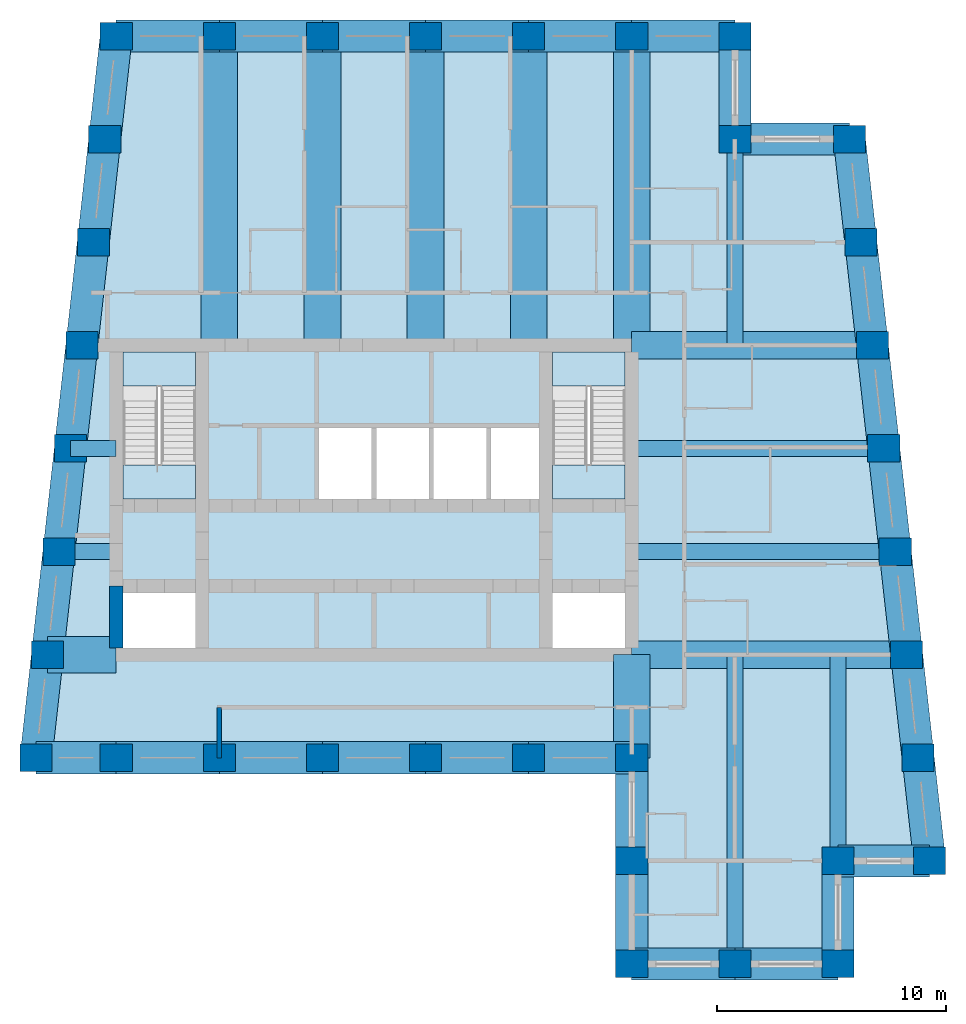
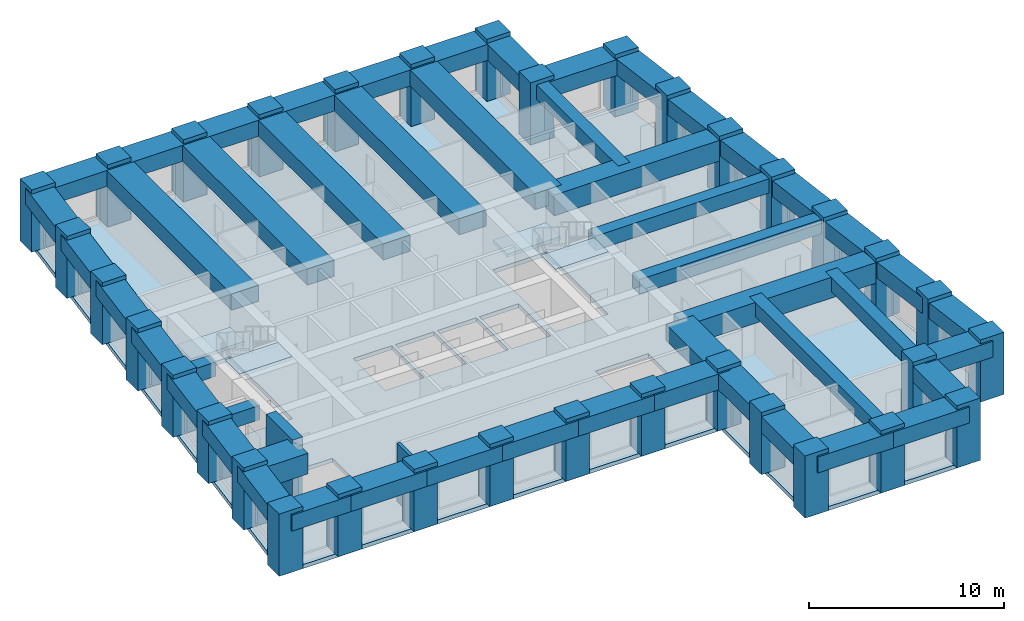
# One storey, part 1 of 7: 50 beams, 34 columns, 5 slabs, 2 walls, 2 elements without a shape of their own.
"""IFC4 building model written with IfcOpenShell, lengths in metres."""

from ifc_helpers import new_model, si_unit, direction, frame, frame_2d, origin, origin_2d, place, context, subcontext, project, spatial, polyline, rectangle, outline, extrude, material, layer, layer_set, material_profile, profile_set, type_object, element, aggregate, save


model = new_model("IFC4")

# Units and contexts
model_context = context("Model", 3, precision=1e-05, world=origin(), true_north=direction((0.0, 1.0)))
body_context = subcontext(model_context, "Body", "Model", "MODEL_VIEW")
ifc_project = project(units=[si_unit("LENGTHUNIT", "METRE"), si_unit("AREAUNIT", "SQUARE_METRE"), si_unit("VOLUMEUNIT", "CUBIC_METRE"), si_unit("PLANEANGLEUNIT", "RADIAN"), si_unit("MASSUNIT", "GRAM", prefix="KILO")], contexts=[model_context])

# Site, building, storey
site_placement = place(None, origin())
site = spatial("IfcSite", under=ifc_project, at=site_placement, CompositionType="ELEMENT")
building_placement = place(site_placement, origin())
building = spatial("IfcBuilding", under=site, at=building_placement, Name="Kilele Tower Hotel", CompositionType="ELEMENT")
storey_placement = place(building_placement, frame((0.0, 0.0, 262.39990234375)))
storey = spatial("IfcBuildingStorey", under=building, at=storey_placement, Name="L67", CompositionType="ELEMENT", Elevation=262.39990234375)

# Columns
ifc_material_1 = material(Name="Concrete C60/75", Category="concrete")
ifc_material_profile_1 = material_profile(ifc_material_1, rectangle(XDim=1.39990234375, YDim=1.199951171875, at=origin_2d()))
ifc_profile_set_1 = profile_set([ifc_material_profile_1], Name="Concrete C60/75")
column_type = type_object("IfcColumnType", Name="Tube column RC 1400x1200 C60/75", PredefinedType="COLUMN", material=ifc_profile_set_1)
for number, where, z_axis, x_axis, name in (
    (1, (10.0, 9.0, 0.0), (0.0, 0.0, 1.0), (1.0, 0.0, 0.0), "Column TC5 L67"),
    (2, (13.5, 9.0, 0.0), (0.0, 0.0, 1.0), (1.0, 0.0, 0.0), "Column TC5 L67"),
    (3, (18.0, 9.0, 0.0), (0.0, 0.0, 1.0), (1.0, 0.0, 0.0), "Column TC5 L67"),
    (4, (22.5, 9.0, 0.0), (0.0, 0.0, 1.0), (1.0, 0.0, 0.0), "Column TC5 L67"),
    (5, (27.0, 9.0, 0.0), (0.0, 0.0, 1.0), (1.0, 0.0, 0.0), "Column TC5 L67"),
    (6, (31.5, 9.0, 0.0), (0.0, 0.0, 1.0), (1.0, 0.0, 0.0), "Column TC5 L67"),
    (7, (36.0, 9.0, 0.0), (0.0, 0.0, 1.0), (1.0, 0.0, 0.0), "Column TC5 L67"),
    (8, (36.0, 4.5, 0.0), (0.0, 0.0, 1.0), (1.0, 0.0, 0.0), "Column TC5 L67"),
    (9, (36.0, 0.0, 0.0), (0.0, 0.0, 1.0), (1.0, 0.0, 0.0), "Column TC5 L67"),
    (10, (40.5, 0.0, 0.0), (0.0, 0.0, 1.0), (1.0, 0.0, 0.0), "Column TC5 L67"),
    (11, (45.0, 0.0, 0.0), (0.0, 0.0, 1.0), (1.0, 0.0, 0.0), "Column TC5 L67"),
    (12, (45.0, 4.5, 0.0), (0.0, 0.0, 1.0), (1.0, 0.0, 0.0), "Column TC5 L67"),
    (13, (49.0, 4.5, 0.0), (0.0, 0.0, 1.0), (1.0, 0.0, 0.0), "Column TC5 L67"),
    (14, (48.5, 9.0, 0.0), (0.0, 0.0, 1.0), (1.0, 0.0, 0.0), "Column TC5 L67"),
    (15, (48.0, 13.5, 0.0), (0.0, 0.0, 1.0), (1.0, 0.0, 0.0), "Column TC5 L67"),
    (16, (47.5, 18.0, 0.0), (0.0, 0.0, 1.0), (1.0, 0.0, 0.0), "Column TC5 L67"),
    (17, (47.0, 22.5, 0.0), (0.0, 0.0, 1.0), (1.0, 0.0, 0.0), "Column TC5 L67"),
    (18, (46.5, 27.0, 0.0), (0.0, 0.0, 1.0), (1.0, 0.0, 0.0), "Column TC5 L67"),
    (19, (46.0, 31.5, 0.0), (0.0, 0.0, 1.0), (1.0, 0.0, 0.0), "Column TC5 L67"),
    (20, (45.5, 36.0, 0.0), (0.0, 0.0, 1.0), (1.0, 0.0, 0.0), "Column TC5 L67"),
    (21, (40.5, 36.0, 0.0), (0.0, 0.0, 1.0), (1.0, 0.0, 0.0), "Column TC5 L67"),
    (22, (40.5, 40.5, 0.0), (0.0, 0.0, 1.0), (1.0, 0.0, 0.0), "Column TC5 L67"),
    (23, (36.0, 40.5, 0.0), (0.0, 0.0, 1.0), (1.0, 0.0, 0.0), "Column TC5 L67"),
    (24, (31.5, 40.5, 0.0), (0.0, 0.0, 1.0), (1.0, 0.0, 0.0), "Column TC5 L67"),
    (25, (27.0, 40.5, 0.0), (0.0, 0.0, 1.0), (1.0, 0.0, 0.0), "Column TC5 L67"),
    (26, (22.5, 40.5, 0.0), (0.0, 0.0, 1.0), (1.0, 0.0, 0.0), "Column TC5 L67"),
    (27, (18.0, 40.5, 0.0), (0.0, 0.0, 1.0), (1.0, 0.0, 0.0), "Column TC5 L67"),
    (28, (13.5, 40.5, 0.0), (0.0, 0.0, 1.0), (1.0, 0.0, 0.0), "Column TC5 L67"),
    (29, (13.0, 36.0, 0.0), (0.0, 0.0, 1.0), (1.0, 0.0, 0.0), "Column TC5 L67"),
    (30, (12.5, 31.5, 0.0), (0.0, 0.0, 1.0), (1.0, 0.0, 0.0), "Column TC5 L67"),
    (31, (12.0, 27.0, 0.0), (0.0, 0.0, 1.0), (1.0, 0.0, 0.0), "Column TC5 L67"),
    (32, (11.5, 22.5, 0.0), (0.0, 0.0, 1.0), (1.0, 0.0, 0.0), "Column TC5 L67"),
    (33, (11.0, 18.0, 0.0), (0.0, 0.0, 1.0), (1.0, 0.0, 0.0), "Column TC5 L67"),
    (34, (10.5, 13.5, 0.0), (0.0, 0.0, 1.0), (1.0, 0.0, 0.0), "Column TC5 L67"),
):
    element("IfcColumn", number, at=place(storey_placement, frame(where, z_axis=z_axis, x_axis=x_axis)), inside=storey, type_object=column_type, Name=name, PredefinedType="COLUMN", context=body_context, shape_type="SweptSolid", body=[
        extrude(rectangle(XDim=1.39990234375, YDim=1.199951171875, at=origin_2d()), origin(), (0.0, 0.0, 1.0), 3.900146484375),
    ])

# Beams
ifc_material_2 = material(Name="Concrete C60/75", Category="concrete")
ifc_material_profile_2 = material_profile(ifc_material_2, rectangle(XDim=1.60009765625, YDim=1.0, at=origin_2d()))
ifc_profile_set_2 = profile_set([ifc_material_profile_2], Name="Concrete C60/75")
beam_type_1 = type_object("IfcBeamType", Name="Beam RC 1600x1000 C60/75", PredefinedType="BEAM", material=ifc_profile_set_2)
for number, where, z_axis, x_axis, name in (
    (35, (36.0, 40.5, 3.150146484375), (0.0, -1.0, 0.0), (1.0, 0.0, 0.0), "Beam BC1 level L68"),
    (36, (31.5, 40.5, 3.150146484375), (0.0, -1.0, 0.0), (1.0, 0.0, 0.0), "Beam BC1 level L68"),
    (37, (27.0, 40.5, 3.150146484375), (0.0, -1.0, 0.0), (1.0, 0.0, 0.0), "Beam BC1 level L68"),
    (38, (22.5, 40.5, 3.150146484375), (0.0, -1.0, 0.0), (1.0, 0.0, 0.0), "Beam BC1 level L68"),
    (39, (18.0, 40.5, 3.150146484375), (0.0, -1.0, 0.0), (1.0, 0.0, 0.0), "Beam BC1 level L68"),
):
    element("IfcBeam", number, at=place(storey_placement, frame(where, z_axis=z_axis, x_axis=x_axis)), inside=storey, type_object=beam_type_1, Name=name, PredefinedType="BEAM", context=body_context, shape_type="SweptSolid", body=[
        extrude(rectangle(XDim=1.60009765625, YDim=1.0, at=origin_2d()), origin(), (0.0, 0.0, 1.0), 13.5),
    ])
ifc_material_3 = material(Name="Concrete C60/75", Category="concrete")
ifc_material_profile_3 = material_profile(ifc_material_3, rectangle(XDim=1.60009765625, YDim=1.0, at=origin_2d()))
ifc_profile_set_3 = profile_set([ifc_material_profile_3], Name="Concrete C60/75")
beam_type_2 = type_object("IfcBeamType", Name="Beam RC 1600x1000 C60/75 short span", PredefinedType="BEAM", material=ifc_profile_set_3)
beam_1_placement = place(storey_placement, frame((36.0, 9.0, 3.150146484375), z_axis=(0.0, 1.0, 0.0), x_axis=(-1.0, 0.0, 0.0)))
element("IfcBeam", 40, at=beam_1_placement, inside=storey, type_object=beam_type_2, Name="Beam BC2 level L68", PredefinedType="BEAM", context=body_context, shape_type="SweptSolid", body=[
    extrude(rectangle(XDim=1.60009765625, YDim=1.0, at=origin_2d()), origin(), (0.0, 0.0, 1.0), 4.5),
])
ifc_material_4 = material(Name="Concrete C60/75", Category="concrete")
ifc_material_profile_4 = material_profile(ifc_material_4, rectangle(XDim=0.699951171875, YDim=0.89990234375, at=origin_2d()))
ifc_profile_set_4 = profile_set([ifc_material_profile_4], Name="Concrete C60/75")
beam_type_3 = type_object("IfcBeamType", Name="Beam RC 700x900 C60/75", PredefinedType="BEAM", material=ifc_profile_set_4)
beam_2_placement = place(storey_placement, frame((40.5, 0.0, 3.2001953125), z_axis=(0.0, 1.0, 0.0), x_axis=(-1.0, 0.0, 0.0)))
element("IfcBeam", 41, at=beam_2_placement, inside=storey, type_object=beam_type_3, Name="Beam B1 level L68", PredefinedType="BEAM", context=body_context, shape_type="SweptSolid", body=[
    extrude(rectangle(XDim=0.699951171875, YDim=0.89990234375, at=origin_2d()), origin(), (0.0, 0.0, 1.0), 13.5),
])
ifc_material_5 = material(Name="Concrete C60/75", Category="concrete")
ifc_material_profile_5 = material_profile(ifc_material_5, rectangle(XDim=0.699951171875, YDim=0.89990234375, at=origin_2d()))
ifc_profile_set_5 = profile_set([ifc_material_profile_5], Name="Concrete C60/75")
beam_type_4 = type_object("IfcBeamType", Name="Beam RC 700x900 C60/75 mid span", PredefinedType="BEAM", material=ifc_profile_set_5)
beam_3_placement = place(storey_placement, frame((45.0, 4.5, 3.2001953125), z_axis=(0.0, 1.0, 0.0), x_axis=(-1.0, 0.0, 0.0)))
element("IfcBeam", 42, at=beam_3_placement, inside=storey, type_object=beam_type_4, Name="Beam B2 level L68", PredefinedType="BEAM", context=body_context, shape_type="SweptSolid", body=[
    extrude(rectangle(XDim=0.699951171875, YDim=0.89990234375, at=origin_2d()), origin(), (0.0, 0.0, 1.0), 9.0),
])
beam_4_placement = place(storey_placement, frame((47.5, 18.0, 3.2001953125), z_axis=(-1.0, 0.0, 0.0), x_axis=(0.0, -1.0, 0.0)))
element("IfcBeam", 43, at=beam_4_placement, inside=storey, type_object=beam_type_4, Name="Beam B2 level L68", PredefinedType="BEAM", context=body_context, shape_type="SweptSolid", body=[
    extrude(rectangle(XDim=0.699951171875, YDim=0.89990234375, at=origin_2d()), origin(), (0.0, 0.0, 1.0), 11.5),
])
beam_5_placement = place(storey_placement, frame((47.0, 22.5, 3.2001953125), z_axis=(-1.0, 0.0, 0.0), x_axis=(0.0, -1.0, 0.0)))
element("IfcBeam", 44, at=beam_5_placement, inside=storey, type_object=beam_type_4, Name="Beam B2 level L68", PredefinedType="BEAM", context=body_context, shape_type="SweptSolid", body=[
    extrude(rectangle(XDim=0.699951171875, YDim=0.89990234375, at=origin_2d()), origin(), (0.0, 0.0, 1.0), 11.0),
])
beam_6_placement = place(storey_placement, frame((40.5, 36.0, 3.2001953125), z_axis=(0.0, -1.0, 0.0), x_axis=(1.0, 0.0, 0.0)))
element("IfcBeam", 45, at=beam_6_placement, inside=storey, type_object=beam_type_4, Name="Beam B2 level L68", PredefinedType="BEAM", context=body_context, shape_type="SweptSolid", body=[
    extrude(rectangle(XDim=0.699951171875, YDim=0.89990234375, at=origin_2d()), origin(), (0.0, 0.0, 1.0), 9.0),
])
ifc_material_6 = material(Name="Concrete C60/75", Category="concrete")
ifc_material_profile_6 = material_profile(ifc_material_6, rectangle(XDim=0.699951171875, YDim=0.89990234375, at=origin_2d()))
ifc_profile_set_6 = profile_set([ifc_material_profile_6], Name="Concrete C60/75")
beam_type_5 = type_object("IfcBeamType", Name="Beam RC 700x900 C60/75 short span", PredefinedType="BEAM", material=ifc_profile_set_6)
beam_7_placement = place(storey_placement, frame((11.5, 22.5, 3.2001953125), z_axis=(1.0, 0.0, 0.0), x_axis=(0.0, 1.0, 0.0)))
element("IfcBeam", 46, at=beam_7_placement, inside=storey, type_object=beam_type_5, Name="Beam B3 level L68", PredefinedType="BEAM", context=body_context, shape_type="SweptSolid", body=[
    extrude(rectangle(XDim=0.699951171875, YDim=0.89990234375, at=origin_2d()), origin(), (0.0, 0.0, 1.0), 2.0),
])
beam_8_placement = place(storey_placement, frame((11.0, 18.0, 3.2001953125), z_axis=(1.0, 0.0, 0.0), x_axis=(0.0, 1.0, 0.0)))
element("IfcBeam", 47, at=beam_8_placement, inside=storey, type_object=beam_type_5, Name="Beam B3 level L68", PredefinedType="BEAM", context=body_context, shape_type="SweptSolid", body=[
    extrude(rectangle(XDim=0.699951171875, YDim=0.89990234375, at=origin_2d()), origin(), (0.0, 0.0, 1.0), 2.5),
])
ifc_material_7 = material(Name="Concrete C60/75", Category="concrete")
ifc_material_profile_7 = material_profile(ifc_material_7, rectangle(XDim=1.60009765625, YDim=1.300048828125, at=origin_2d()))
ifc_profile_set_7 = profile_set([ifc_material_profile_7], Name="Concrete C60/75")
beam_type_6 = type_object("IfcBeamType", Name="Coupling girder RC 1600x1300 C60/75", PredefinedType="BEAM", material=ifc_profile_set_7)
beam_9_placement = place(storey_placement, frame((10.5, 13.5, 3.0), z_axis=(1.0, 0.0, 0.0), x_axis=(0.0, 1.0, 0.0)))
element("IfcBeam", 48, at=beam_9_placement, inside=storey, type_object=beam_type_6, Name="Coupling girder G2 level L68", PredefinedType="BEAM", context=body_context, shape_type="SweptSolid", body=[
    extrude(rectangle(XDim=1.60009765625, YDim=1.300048828125, at=origin_2d()), origin(), (0.0, 0.0, 1.0), 3.0),
])
ifc_material_8 = material(Name="Concrete C60/75", Category="concrete")
ifc_material_profile_8 = material_profile(ifc_material_8, rectangle(XDim=1.199951171875, YDim=1.300048828125, at=origin_2d()))
ifc_profile_set_8 = profile_set([ifc_material_profile_8], Name="Concrete C60/75")
beam_type_7 = type_object("IfcBeamType", Name="Girder RC 1200x1300 C60/75", PredefinedType="BEAM", material=ifc_profile_set_8)
beam_10_placement = place(storey_placement, frame((48.0, 13.5, 3.0), z_axis=(-1.0, 0.0, 0.0), x_axis=(0.0, -1.0, 0.0)))
element("IfcBeam", 49, at=beam_10_placement, inside=storey, type_object=beam_type_7, Name="Girder G1 level L68", PredefinedType="BEAM", context=body_context, shape_type="SweptSolid", body=[
    extrude(rectangle(XDim=1.199951171875, YDim=1.300048828125, at=origin_2d()), origin(), (0.0, 0.0, 1.0), 12.0),
])
ifc_material_9 = material(Name="Concrete C60/75", Category="concrete")
ifc_material_profile_9 = material_profile(ifc_material_9, rectangle(XDim=1.199951171875, YDim=1.300048828125, at=origin_2d()))
ifc_profile_set_9 = profile_set([ifc_material_profile_9], Name="Concrete C60/75")
beam_type_8 = type_object("IfcBeamType", Name="Girder RC 1200x1300 C60/75 mid span", PredefinedType="BEAM", material=ifc_profile_set_9)
beam_11_placement = place(storey_placement, frame((46.5, 27.0, 3.0), z_axis=(-1.0, 0.0, 0.0), x_axis=(0.0, -1.0, 0.0)))
element("IfcBeam", 50, at=beam_11_placement, inside=storey, type_object=beam_type_8, Name="Girder G3 level L68", PredefinedType="BEAM", context=body_context, shape_type="SweptSolid", body=[
    extrude(rectangle(XDim=1.199951171875, YDim=1.300048828125, at=origin_2d()), origin(), (0.0, 0.0, 1.0), 10.5),
])
ifc_material_10 = material(Name="Concrete C60/75", Category="concrete")
ifc_material_profile_10 = material_profile(ifc_material_10, rectangle(XDim=1.39990234375, YDim=1.0, at=origin_2d()))
ifc_profile_set_10 = profile_set([ifc_material_profile_10], Name="Concrete C60/75")
beam_type_9 = type_object("IfcBeamType", Name="Spandrel RC 1400x1000 C60/75", PredefinedType="SPANDREL", material=ifc_profile_set_10)
beam_12_placement = place(storey_placement, frame((10.0, 9.0, 3.150146484375), z_axis=(1.0, 0.0, 0.0), x_axis=(0.0, 1.0, 0.0)))
element("IfcBeam", 51, at=beam_12_placement, inside=storey, type_object=beam_type_9, Name="Spandrel SP1 level L68", PredefinedType="SPANDREL", context=body_context, shape_type="SweptSolid", body=[
    extrude(rectangle(XDim=1.39990234375, YDim=1.0, at=origin_2d()), origin(), (0.0, 0.0, 1.0), 3.5),
])
for number, where, z_axis, x_axis, name in (
    (52, (13.5, 9.0, 3.150146484375), (1.0, 0.0, 0.0), (0.0, 1.0, 0.0), "Spandrel SP1 level L68"),
    (53, (18.0, 9.0, 3.150146484375), (1.0, 0.0, 0.0), (0.0, 1.0, 0.0), "Spandrel SP1 level L68"),
    (54, (22.5, 9.0, 3.150146484375), (1.0, 0.0, 0.0), (0.0, 1.0, 0.0), "Spandrel SP1 level L68"),
    (55, (27.0, 9.0, 3.150146484375), (1.0, 0.0, 0.0), (0.0, 1.0, 0.0), "Spandrel SP1 level L68"),
    (56, (31.5, 9.0, 3.150146484375), (1.0, 0.0, 0.0), (0.0, 1.0, 0.0), "Spandrel SP1 level L68"),
    (57, (36.0, 9.0, 3.150146484375), (0.0, -1.0, 0.0), (1.0, 0.0, 0.0), "Spandrel SP1 level L68"),
    (58, (36.0, 4.5, 3.150146484375), (0.0, -1.0, 0.0), (1.0, 0.0, 0.0), "Spandrel SP1 level L68"),
    (59, (36.0, 0.0, 3.150146484375), (1.0, 0.0, 0.0), (0.0, 1.0, 0.0), "Spandrel SP1 level L68"),
    (60, (40.5, 0.0, 3.150146484375), (1.0, 0.0, 0.0), (0.0, 1.0, 0.0), "Spandrel SP1 level L68"),
    (61, (45.0, 0.0, 3.150146484375), (0.0, 1.0, 0.0), (-1.0, 0.0, 0.0), "Spandrel SP1 level L68"),
):
    element("IfcBeam", number, at=place(storey_placement, frame(where, z_axis=z_axis, x_axis=x_axis)), inside=storey, type_object=beam_type_9, Name=name, PredefinedType="SPANDREL", context=body_context, shape_type="SweptSolid", body=[
        extrude(rectangle(XDim=1.39990234375, YDim=1.0, at=origin_2d()), origin(), (0.0, 0.0, 1.0), 4.5),
    ])
beam_13_placement = place(storey_placement, frame((45.0, 4.5, 3.150146484375), z_axis=(1.0, 0.0, 0.0), x_axis=(0.0, 1.0, 0.0)))
element("IfcBeam", 62, at=beam_13_placement, inside=storey, type_object=beam_type_9, Name="Spandrel SP1 level L68", PredefinedType="SPANDREL", context=body_context, shape_type="SweptSolid", body=[
    extrude(rectangle(XDim=1.39990234375, YDim=1.0, at=origin_2d()), origin(), (0.0, 0.0, 1.0), 4.0),
])
for number, where, z_axis, x_axis, name in (
    (63, (49.0, 4.5, 3.150146484375), (-0.110431526075, 0.993883734674, 0.0), (-0.993883734674, -0.110431526075, 0.0), "Spandrel SP1 level L68"),
    (64, (48.5, 9.0, 3.150146484375), (-0.110431526075, 0.993883734674, 0.0), (-0.993883734674, -0.110431526075, 0.0), "Spandrel SP1 level L68"),
    (65, (48.0, 13.5, 3.150146484375), (-0.110431526075, 0.993883734674, 0.0), (-0.993883734674, -0.110431526075, 0.0), "Spandrel SP1 level L68"),
    (66, (47.5, 18.0, 3.150146484375), (-0.110431526075, 0.993883734674, 0.0), (-0.993883734674, -0.110431526075, 0.0), "Spandrel SP1 level L68"),
    (67, (47.0, 22.5, 3.150146484375), (-0.110431526075, 0.993883734674, 0.0), (-0.993883734674, -0.110431526075, 0.0), "Spandrel SP1 level L68"),
    (68, (46.5, 27.0, 3.150146484375), (-0.110431526075, 0.993883734674, 0.0), (-0.993883734674, -0.110431526075, 0.0), "Spandrel SP1 level L68"),
    (69, (46.0, 31.5, 3.150146484375), (-0.110431526075, 0.993883734674, 0.0), (-0.993883734674, -0.110431526075, 0.0), "Spandrel SP1 level L68"),
):
    element("IfcBeam", number, at=place(storey_placement, frame(where, z_axis=z_axis, x_axis=x_axis)), inside=storey, type_object=beam_type_9, Name=name, PredefinedType="SPANDREL", context=body_context, shape_type="SweptSolid", body=[
        extrude(rectangle(XDim=1.39990234375, YDim=1.0, at=origin_2d()), origin(), (0.0, 0.0, 1.0), 4.527587890625),
    ])
beam_14_placement = place(storey_placement, frame((45.5, 36.0, 3.150146484375), z_axis=(-1.0, 0.0, 0.0), x_axis=(0.0, -1.0, 0.0)))
element("IfcBeam", 70, at=beam_14_placement, inside=storey, type_object=beam_type_9, Name="Spandrel SP1 level L68", PredefinedType="SPANDREL", context=body_context, shape_type="SweptSolid", body=[
    extrude(rectangle(XDim=1.39990234375, YDim=1.0, at=origin_2d()), origin(), (0.0, 0.0, 1.0), 5.0),
])
for number, where, z_axis, x_axis, name in (
    (71, (40.5, 36.0, 3.150146484375), (0.0, 1.0, 0.0), (-1.0, 0.0, 0.0), "Spandrel SP1 level L68"),
    (72, (40.5, 40.5, 3.150146484375), (-1.0, 0.0, 0.0), (0.0, -1.0, 0.0), "Spandrel SP1 level L68"),
    (73, (36.0, 40.5, 3.150146484375), (-1.0, 0.0, 0.0), (0.0, -1.0, 0.0), "Spandrel SP1 level L68"),
    (74, (31.5, 40.5, 3.150146484375), (-1.0, 0.0, 0.0), (0.0, -1.0, 0.0), "Spandrel SP1 level L68"),
    (75, (27.0, 40.5, 3.150146484375), (-1.0, 0.0, 0.0), (0.0, -1.0, 0.0), "Spandrel SP1 level L68"),
    (76, (22.5, 40.5, 3.150146484375), (-1.0, 0.0, 0.0), (0.0, -1.0, 0.0), "Spandrel SP1 level L68"),
    (77, (18.0, 40.5, 3.150146484375), (-1.0, 0.0, 0.0), (0.0, -1.0, 0.0), "Spandrel SP1 level L68"),
):
    element("IfcBeam", number, at=place(storey_placement, frame(where, z_axis=z_axis, x_axis=x_axis)), inside=storey, type_object=beam_type_9, Name=name, PredefinedType="SPANDREL", context=body_context, shape_type="SweptSolid", body=[
        extrude(rectangle(XDim=1.39990234375, YDim=1.0, at=origin_2d()), origin(), (0.0, 0.0, 1.0), 4.5),
    ])
for number, where, z_axis, x_axis, name in (
    (78, (13.5, 40.5, 3.150146484375), (-0.110431526075, -0.993883734674, 0.0), (0.993883734674, -0.110431526075, 0.0), "Spandrel SP1 level L68"),
    (79, (13.0, 36.0, 3.150146484375), (-0.110431526075, -0.993883734674, 0.0), (0.993883734674, -0.110431526075, 0.0), "Spandrel SP1 level L68"),
    (80, (12.5, 31.5, 3.150146484375), (-0.110431526075, -0.993883734674, 0.0), (0.993883734674, -0.110431526075, 0.0), "Spandrel SP1 level L68"),
    (81, (12.0, 27.0, 3.150146484375), (-0.110431526075, -0.993883734674, 0.0), (0.993883734674, -0.110431526075, 0.0), "Spandrel SP1 level L68"),
    (82, (11.5, 22.5, 3.150146484375), (-0.110431526075, -0.993883734674, 0.0), (0.993883734674, -0.110431526075, 0.0), "Spandrel SP1 level L68"),
    (83, (11.0, 18.0, 3.150146484375), (-0.110431526075, -0.993883734674, 0.0), (0.993883734674, -0.110431526075, 0.0), "Spandrel SP1 level L68"),
    (84, (10.5, 13.5, 3.150146484375), (-0.110431526075, -0.993883734674, 0.0), (0.993883734674, -0.110431526075, 0.0), "Spandrel SP1 level L68"),
):
    element("IfcBeam", number, at=place(storey_placement, frame(where, z_axis=z_axis, x_axis=x_axis)), inside=storey, type_object=beam_type_9, Name=name, PredefinedType="SPANDREL", context=body_context, shape_type="SweptSolid", body=[
        extrude(rectangle(XDim=1.39990234375, YDim=1.0, at=origin_2d()), origin(), (0.0, 0.0, 1.0), 4.527587890625),
    ])

# Slab
ifc_material_11 = material(Name="Concrete C60/75", Category="concrete")
ifc_layer_1 = layer(ifc_material_11, 0.25)
ifc_layer_set_1 = layer_set([ifc_layer_1], Name="Concrete C60/75")
slab_type_1 = type_object("IfcSlabType", Name="Floor slab 250", PredefinedType="FLOOR", material=ifc_layer_set_1)
slab_1_placement = place(storey_placement, frame((0.0, 0.0, -0.25)))
element("IfcSlab", 85, at=slab_1_placement, inside=storey, type_object=slab_type_1, Name="Floor slab L67", PredefinedType="FLOOR", context=body_context, shape_type="SweptSolid", body=[
    extrude(outline(polyline([(40.800048828125, 40.800048828125), (40.800048828125, 36.300048828125), (45.7685546875, 36.300048828125), (49.335205078125, 4.199951171875), (45.300048828125, 4.199951171875), (45.300048828125, -0.300048828125), (35.699951171875, -0.300048828125), (35.699951171875, 8.699951171875), (9.664794921875, 8.699951171875), (13.2314453125, 40.800048828125), (40.800048828125, 40.800048828125)]), holes=[polyline([(16.949951171875, 16.199951171875), (13.800048828125, 16.199951171875), (13.800048828125, 13.800048828125), (16.949951171875, 13.800048828125), (16.949951171875, 16.199951171875)]), polyline([(35.699951171875, 16.199951171875), (32.550048828125, 16.199951171875), (32.550048828125, 13.800048828125), (35.699951171875, 13.800048828125), (35.699951171875, 16.199951171875)]), polyline([(24.64990234375, 23.39990234375), (22.35009765625, 23.39990234375), (22.35009765625, 20.10009765625), (24.64990234375, 20.10009765625), (24.64990234375, 23.39990234375)]), polyline([(27.14990234375, 23.39990234375), (24.85009765625, 23.39990234375), (24.85009765625, 20.10009765625), (27.14990234375, 20.10009765625), (27.14990234375, 23.39990234375)]), polyline([(29.64990234375, 23.39990234375), (27.35009765625, 23.39990234375), (27.35009765625, 20.10009765625), (29.64990234375, 20.10009765625), (29.64990234375, 23.39990234375)]), polyline([(32.14990234375, 23.39990234375), (29.85009765625, 23.39990234375), (29.85009765625, 20.10009765625), (32.14990234375, 20.10009765625), (32.14990234375, 23.39990234375)]), polyline([(16.949951171875, 26.699951171875), (13.800048828125, 26.699951171875), (13.800048828125, 20.300048828125), (16.949951171875, 20.300048828125), (16.949951171875, 26.699951171875)]), polyline([(35.699951171875, 26.699951171875), (32.550048828125, 26.699951171875), (32.550048828125, 20.300048828125), (35.699951171875, 20.300048828125), (35.699951171875, 26.699951171875)])]), origin(), (0.0, 0.0, 1.0), 0.25),
])

# Stair, slabs
ifc_material_12 = material(Name="Precast concrete C40/50", Category="concrete")
stair_type = type_object("IfcStairType", Name="Stair 1475 x 3900", PredefinedType="HALF_TURN_STAIR", material=ifc_material_12)
stair_1_placement = place(storey_placement, origin())
stair_1 = element("IfcStair", 86, at=stair_1_placement, inside=storey, type_object=stair_type, Name="Stair 1 L67", PredefinedType="HALF_TURN_STAIR")
ifc_material_13 = material(Name="Precast concrete C40/50", Category="concrete")
ifc_layer_2 = layer(ifc_material_13, 0.199951171875)
ifc_layer_set_2 = layer_set([ifc_layer_2], Name="Precast concrete C40/50")
slab_type_2 = type_object("IfcSlabType", Name="Stair landing 200", PredefinedType="LANDING", material=ifc_layer_set_2)
slab_2_placement = place(storey_placement, frame((0.0, 0.0, 1.665283203125)))
slab_2 = element("IfcSlab", 87, at=slab_2_placement, type_object=slab_type_2, Name="ST1 landing 1", PredefinedType="LANDING", context=body_context, shape_type="SweptSolid", body=[
    extrude(outline(polyline([(13.800048828125, 25.22509765625), (16.949951171875, 25.22509765625), (16.949951171875, 26.699951171875), (13.800048828125, 26.699951171875), (13.800048828125, 25.22509765625)])), origin(), (0.0, 0.0, 1.0), 0.199951171875),
])
slab_3_placement = place(storey_placement, frame((0.0, 0.0, 3.7001953125)))
slab_3 = element("IfcSlab", 88, at=slab_3_placement, type_object=slab_type_2, Name="ST1 landing 2", PredefinedType="LANDING", context=body_context, shape_type="SweptSolid", body=[
    extrude(outline(polyline([(13.800048828125, 20.300048828125), (16.949951171875, 20.300048828125), (16.949951171875, 21.77490234375), (13.800048828125, 21.77490234375), (13.800048828125, 20.300048828125)])), origin(), (0.0, 0.0, 1.0), 0.199951171875),
])
aggregate(stair_1, [slab_2, slab_3])

stair_2_placement = place(storey_placement, origin())
stair_2 = element("IfcStair", 89, at=stair_2_placement, inside=storey, type_object=stair_type, Name="Stair 2 L67", PredefinedType="HALF_TURN_STAIR")
slab_4_placement = place(storey_placement, frame((0.0, 0.0, 1.665283203125)))
slab_4 = element("IfcSlab", 90, at=slab_4_placement, type_object=slab_type_2, Name="ST2 landing 1", PredefinedType="LANDING", context=body_context, shape_type="SweptSolid", body=[
    extrude(outline(polyline([(32.550048828125, 25.22509765625), (35.699951171875, 25.22509765625), (35.699951171875, 26.699951171875), (32.550048828125, 26.699951171875), (32.550048828125, 25.22509765625)])), origin(), (0.0, 0.0, 1.0), 0.199951171875),
])
slab_5_placement = place(storey_placement, frame((0.0, 0.0, 3.7001953125)))
slab_5 = element("IfcSlab", 91, at=slab_5_placement, type_object=slab_type_2, Name="ST2 landing 2", PredefinedType="LANDING", context=body_context, shape_type="SweptSolid", body=[
    extrude(outline(polyline([(32.550048828125, 20.300048828125), (35.699951171875, 20.300048828125), (35.699951171875, 21.77490234375), (32.550048828125, 21.77490234375), (32.550048828125, 20.300048828125)])), origin(), (0.0, 0.0, 1.0), 0.199951171875),
])
aggregate(stair_2, [slab_4, slab_5])

# Walls
ifc_material_14 = material(Name="Concrete C60/75", Category="concrete")
ifc_layer_3 = layer(ifc_material_14, 0.60009765625)
ifc_layer_set_3 = layer_set([ifc_layer_3], Name="Concrete C60/75")
wall_type_1 = type_object("IfcWallType", Name="Core wall 600 C60/75", PredefinedType="SHEAR", material=ifc_layer_set_3)
wall_1_placement = place(storey_placement, frame((13.5, 16.5, 0.0), z_axis=(0.0, 0.0, 1.0), x_axis=(0.0, -1.0, 0.0)))
element("IfcWall", 92, at=wall_1_placement, inside=storey, type_object=wall_type_1, Name="Core wall W3 L67", PredefinedType="SHEAR", context=body_context, shape_type="SweptSolid", body=[
    extrude(rectangle(XDim=2.699951171875, YDim=0.60009765625, at=frame_2d((1.35009765625, 0.0))), origin(), (0.0, 0.0, 1.0), 3.900146484375),
])
ifc_material_15 = material(Name="Blockwork, plastered both sides", Category="masonry")
ifc_layer_4 = layer(ifc_material_15, 0.199951171875)
ifc_layer_set_4 = layer_set([ifc_layer_4], Name="Blockwork, plastered both sides")
wall_type_2 = type_object("IfcWallType", Name="Party wall 200", PredefinedType="PARTITIONING", material=ifc_layer_set_4)
wall_2_placement = place(storey_placement, frame((18.0, 11.199951171875, 0.0), z_axis=(0.0, 0.0, 1.0), x_axis=(0.0, -1.0, 0.0)))
element("IfcWall", 93, at=wall_2_placement, inside=storey, type_object=wall_type_2, Name="Party wall 200 L67", PredefinedType="PARTITIONING", context=body_context, shape_type="SweptSolid", body=[
    extrude(rectangle(XDim=2.199951171875, YDim=0.199951171875, at=frame_2d((1.10009765625, 0.0))), origin(), (0.0, 0.0, 1.0), 3.650146484375),
])

save(model, "model.ifc")
